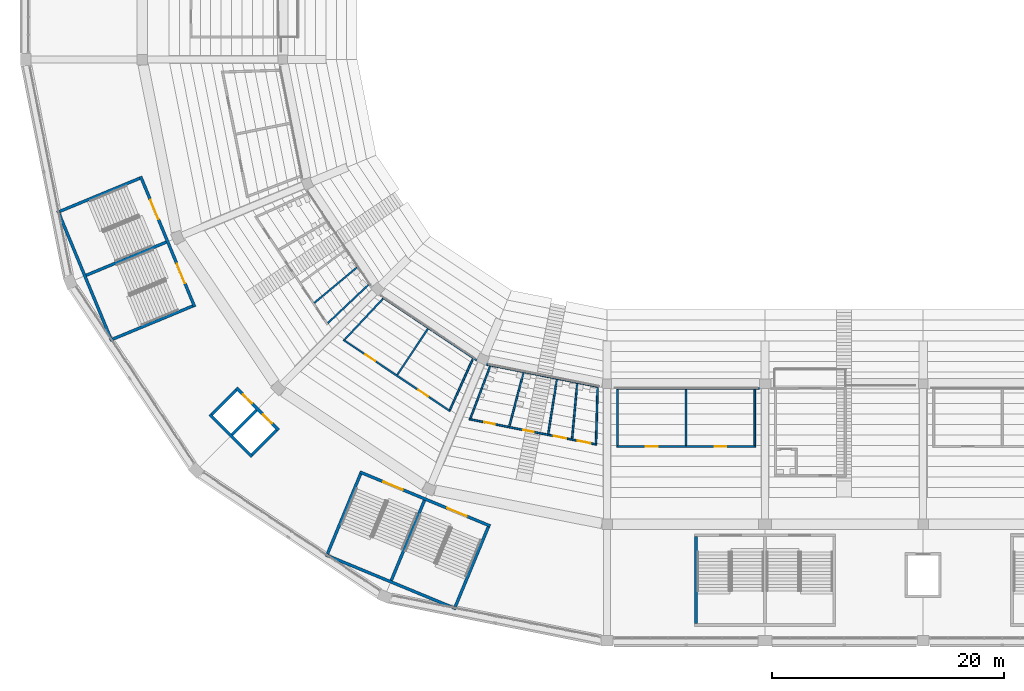
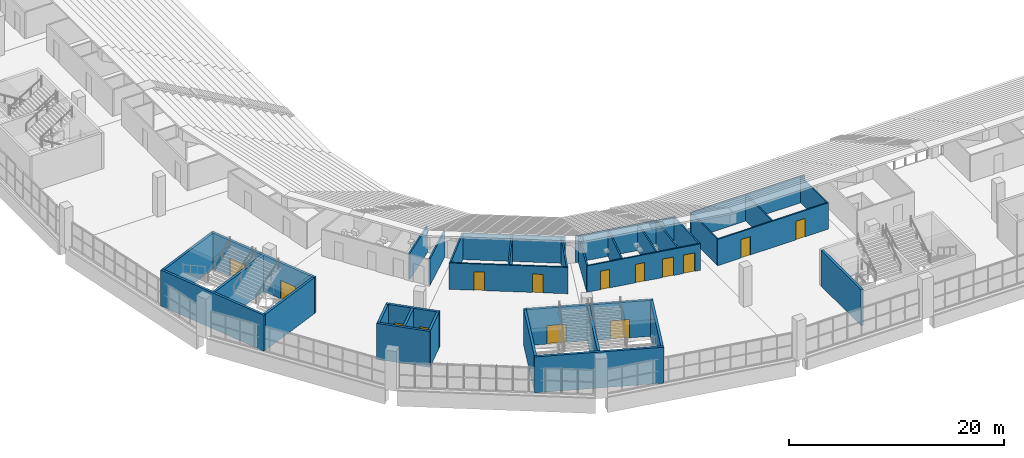
# One storey, part 85 of 249: 35 walls, 14 doors, 14 openings.
"""IFC4 building model written with IfcOpenShell, lengths in metres."""

from ifc_helpers import new_model, si_unit, direction, frame, frame_2d, origin, place, context, subcontext, project, spatial, rectangle, extrude, material, layer, layer_set, type_object, element, fill, save


model = new_model("IFC4")

# Units and contexts
model_context = context("Model", 3, precision=1e-05, world=origin(), true_north=direction((0.0, 1.0)))
body_context = subcontext(model_context, "Body", "Model", "MODEL_VIEW")
ifc_project = project(units=[si_unit("LENGTHUNIT", "METRE"), si_unit("AREAUNIT", "SQUARE_METRE"), si_unit("VOLUMEUNIT", "CUBIC_METRE"), si_unit("PLANEANGLEUNIT", "RADIAN"), si_unit("MASSUNIT", "GRAM", prefix="KILO")], contexts=[model_context])

# Site, building, storey
site_placement = place(None, origin())
site = spatial("IfcSite", under=ifc_project, at=site_placement, CompositionType="ELEMENT")
building_placement = place(site_placement, origin())
building = spatial("IfcBuilding", under=site, at=building_placement, Name="Ogive Plaza Stadium", CompositionType="ELEMENT")
storey_placement = place(building_placement, frame((0.0, 0.0, 13.5)))
storey = spatial("IfcBuildingStorey", under=building, at=storey_placement, Name="L03", CompositionType="ELEMENT", Elevation=13.5)

# Wall
ifc_material_1 = material(Name="Masonry blockwork", Category="masonry")
ifc_layer_1 = layer(ifc_material_1, 0.14990234375)
ifc_layer_set_1 = layer_set([ifc_layer_1], Name="Blockwork wall 150")
wall_type_1 = type_object("IfcWallType", Name="Blockwork wall 150", PredefinedType="SOLIDWALL", material=ifc_layer_set_1)
wall_1_placement = place(storey_placement, frame((-20.89990234375, -80.800048828125, 0.0), z_axis=(0.0, 0.0, 1.0), x_axis=(-1.0, 0.0, 0.0)))
element("IfcWall", 1, at=wall_1_placement, inside=storey, type_object=wall_type_1, Name="Wall L03 B16", PredefinedType="SOLIDWALL", context=body_context, shape_type="SweptSolid", body=[
    extrude(rectangle(XDim=12.275146484375, YDim=0.14990234375, at=frame_2d((6.1376953125, 0.0))), origin(), (0.0, 0.0, 1.0), 3.0),
])

# Wall, openings, doors
wall_2_placement = place(storey_placement, frame((-21.22509765625, -85.800048828125, 0.0), z_axis=(0.0, 0.0, 1.0), x_axis=(-1.0, 0.0, 0.0)))
wall_2 = element("IfcWall", 2, at=wall_2_placement, inside=storey, type_object=wall_type_1, Name="Wall L03 B16", PredefinedType="SOLIDWALL", context=body_context, shape_type="SweptSolid", body=[
    extrude(rectangle(XDim=11.949951171875, YDim=0.14990234375, at=frame_2d((5.97509765625, 0.0))), origin(), (0.0, 0.0, 1.0), 3.0),
])
opening_1_placement = place(wall_2_placement, frame((2.52490234375, 0.0, 0.0)))
opening_1 = element("IfcOpeningElement", 3, at=opening_1_placement, cuts=wall_2, Name="Opening D0809", PredefinedType="OPENING", context=body_context, shape_type="SweptSolid", body=[
    extrude(rectangle(XDim=1.0, YDim=2.10009765625, at=frame_2d((0.5, 1.050048828125))), frame((0.0, 0.074951171875, 0.0), z_axis=(0.0, -1.0, 0.0), x_axis=(1.0, 0.0, 0.0)), (0.0, 0.0, 1.0), 0.14990234375),
])
opening_2_placement = place(wall_2_placement, frame((8.425048828125, 0.0, 0.0)))
opening_2 = element("IfcOpeningElement", 4, at=opening_2_placement, cuts=wall_2, Name="Opening D0810", PredefinedType="OPENING", context=body_context, shape_type="SweptSolid", body=[
    extrude(rectangle(XDim=1.0, YDim=2.10009765625, at=frame_2d((0.5, 1.050048828125))), frame((0.0, 0.074951171875, 0.0), z_axis=(0.0, -1.0, 0.0), x_axis=(1.0, 0.0, 0.0)), (0.0, 0.0, 1.0), 0.14990234375),
])
ifc_material_2 = material(Name="Steel ASTM A572 Grade 50", Category="steel")
door_type_1 = type_object("IfcDoorType", Name="Fire door FD60 1000 x 2100", OperationType="SINGLE_SWING_LEFT", PredefinedType="DOOR", material=ifc_material_2)
door_1_placement = place(opening_1_placement, origin())
door_1 = element("IfcDoor", 5, at=door_1_placement, inside=storey, type_object=door_type_1, Name="Hospitality Pantry B16 door", OperationType="SINGLE_SWING_RIGHT", OverallHeight=2.10009765625, OverallWidth=1.0, PredefinedType="DOOR", context=body_context, shape_type="SweptSolid", body=[
    extrude(rectangle(XDim=1.0, YDim=2.10009765625, at=frame_2d((0.5, 1.050048828125))), frame((0.0, 0.02490234375, 0.0), z_axis=(0.0, -1.0, 0.0), x_axis=(1.0, 0.0, 0.0)), (0.0, 0.0, 1.0), 0.050048828125),
])
fill(opening_1, door_1)
door_2_placement = place(opening_2_placement, origin())
door_2 = element("IfcDoor", 6, at=door_2_placement, inside=storey, type_object=door_type_1, Name="Hospitality Store B16 door", OperationType="SINGLE_SWING_LEFT", OverallHeight=2.10009765625, OverallWidth=1.0, PredefinedType="DOOR", context=body_context, shape_type="SweptSolid", body=[
    extrude(rectangle(XDim=1.0, YDim=2.10009765625, at=frame_2d((0.5, 1.050048828125))), frame((0.0, 0.02490234375, 0.0), z_axis=(0.0, -1.0, 0.0), x_axis=(1.0, 0.0, 0.0)), (0.0, 0.0, 1.0), 0.050048828125),
])
fill(opening_2, door_2)

# Walls
for number, where, z_axis, x_axis, name in (
    (7, (-21.300048828125, -80.875, 0.0), (0.0, 0.0, 1.0), (0.0, -1.0, 0.0), "Wall L03 B16"),
    (8, (-27.199951171875, -80.875, 0.0), (0.0, 0.0, 1.0), (0.0, -1.0, 0.0), "Wall L03 B16"),
    (9, (-33.10009765625, -80.875, 0.0), (0.0, 0.0, 1.0), (0.0, -1.0, 0.0), "Wall L03 B16"),
):
    element("IfcWall", number, at=place(storey_placement, frame(where, z_axis=z_axis, x_axis=x_axis)), inside=storey, type_object=wall_type_1, Name=name, PredefinedType="SOLIDWALL", context=body_context, shape_type="SweptSolid", body=[
        extrude(rectangle(XDim=4.85009765625, YDim=0.14990234375, at=frame_2d((2.425048828125, 0.0))), origin(), (0.0, 0.0, 1.0), 3.0),
    ])
wall_3_placement = place(storey_placement, frame((-45.21142578125, -78.390869140625, 0.0), z_axis=(0.0, 0.0, 1.0), x_axis=(-0.831470078842, 0.555569534793, 0.0)))
element("IfcWall", 10, at=wall_3_placement, inside=storey, type_object=wall_type_1, Name="Wall L03 B18", PredefinedType="SOLIDWALL", context=body_context, shape_type="SweptSolid", body=[
    extrude(rectangle(XDim=9.7177734375, YDim=0.14990234375, at=frame_2d((4.85888671875, 0.0))), origin(), (0.0, 0.0, 1.0), 3.0),
])

# Wall, openings, doors
wall_4_placement = place(storey_placement, frame((-47.485107421875, -82.76953125, 0.0), z_axis=(0.0, 0.0, 1.0), x_axis=(-0.831470287315, 0.555569222791, 0.0)))
wall_4 = element("IfcWall", 11, at=wall_4_placement, inside=storey, type_object=wall_type_1, Name="Wall L03 B18", PredefinedType="SOLIDWALL", context=body_context, shape_type="SweptSolid", body=[
    extrude(rectangle(XDim=11.082275390625, YDim=0.14990234375, at=frame_2d((5.541015625, 0.0))), origin(), (0.0, 0.0, 1.0), 3.0),
])
opening_3_placement = place(wall_4_placement, frame((2.311279296875, 0.0, 0.0)))
opening_3 = element("IfcOpeningElement", 12, at=opening_3_placement, cuts=wall_4, Name="Opening D0815", PredefinedType="OPENING", context=body_context, shape_type="SweptSolid", body=[
    extrude(rectangle(XDim=1.0, YDim=2.10009765625, at=frame_2d((0.5, 1.050048828125))), frame((0.0, 0.074951171875, 0.0), z_axis=(0.0, -1.0, 0.0), x_axis=(1.0, 0.0, 0.0)), (0.0, 0.0, 1.0), 0.14990234375),
])
opening_4_placement = place(wall_4_placement, frame((7.771240234375, 0.0, 0.0)))
opening_4 = element("IfcOpeningElement", 13, at=opening_4_placement, cuts=wall_4, Name="Opening D0816", PredefinedType="OPENING", context=body_context, shape_type="SweptSolid", body=[
    extrude(rectangle(XDim=1.0, YDim=2.10009765625, at=frame_2d((0.5, 1.050048828125))), frame((0.0, 0.074951171875, 0.0), z_axis=(0.0, -1.0, 0.0), x_axis=(1.0, 0.0, 0.0)), (0.0, 0.0, 1.0), 0.14990234375),
])
door_3_placement = place(opening_3_placement, origin())
door_3 = element("IfcDoor", 14, at=door_3_placement, inside=storey, type_object=door_type_1, Name="Hospitality Pantry B18 door", OperationType="SINGLE_SWING_LEFT", OverallHeight=2.10009765625, OverallWidth=1.0, PredefinedType="DOOR", context=body_context, shape_type="SweptSolid", body=[
    extrude(rectangle(XDim=1.0, YDim=2.10009765625, at=frame_2d((0.5, 1.050048828125))), frame((0.0, 0.02490234375, 0.0), z_axis=(0.0, -1.0, 0.0), x_axis=(1.0, 0.0, 0.0)), (0.0, 0.0, 1.0), 0.050048828125),
])
fill(opening_3, door_3)
door_4_placement = place(opening_4_placement, origin())
door_4 = element("IfcDoor", 15, at=door_4_placement, inside=storey, type_object=door_type_1, Name="Hospitality Store B18 door", OperationType="SINGLE_SWING_RIGHT", OverallHeight=2.10009765625, OverallWidth=1.0, PredefinedType="DOOR", context=body_context, shape_type="SweptSolid", body=[
    extrude(rectangle(XDim=1.0, YDim=2.10009765625, at=frame_2d((0.5, 1.050048828125))), frame((0.0, 0.02490234375, 0.0), z_axis=(0.0, -1.0, 0.0), x_axis=(1.0, 0.0, 0.0)), (0.0, 0.0, 1.0), 0.050048828125),
])
fill(opening_4, door_4)

# Walls
wall_5_placement = place(storey_placement, frame((-45.548095703125, -78.25439453125, 0.0), z_axis=(0.0, 0.0, 1.0), x_axis=(-0.409145990025, -0.912468935825, 0.0)))
element("IfcWall", 16, at=wall_5_placement, inside=storey, type_object=wall_type_1, Name="Wall L03 B18", PredefinedType="SOLIDWALL", context=body_context, shape_type="SweptSolid", body=[
    extrude(rectangle(XDim=4.824462890625, YDim=0.14990234375, at=frame_2d((2.412109375, 0.0))), origin(), (0.0, 0.0, 1.0), 3.0),
])
wall_6_placement = place(storey_placement, frame((-49.41650390625, -75.669677734375, 0.0), z_axis=(0.0, 0.0, 1.0), x_axis=(-0.553989356348, -0.832523749243, 0.0)))
element("IfcWall", 17, at=wall_6_placement, inside=storey, type_object=wall_type_1, Name="Wall L03 B18", PredefinedType="SOLIDWALL", context=body_context, shape_type="SweptSolid", body=[
    extrude(rectangle(XDim=4.7568359375, YDim=0.14990234375, at=frame_2d((2.37841796875, 0.0))), origin(), (0.0, 0.0, 1.0), 3.0),
])
wall_7_placement = place(storey_placement, frame((-53.28515625, -73.084716796875, 0.0), z_axis=(0.0, 0.0, 1.0), x_axis=(-0.68366483381, -0.729796132499, 0.0)))
element("IfcWall", 18, at=wall_7_placement, inside=storey, type_object=wall_type_1, Name="Wall L03 B18", PredefinedType="SOLIDWALL", context=body_context, shape_type="SweptSolid", body=[
    extrude(rectangle(XDim=4.8212890625, YDim=0.14990234375, at=frame_2d((2.41064453125, 0.0))), origin(), (0.0, 0.0, 1.0), 3.0),
])
ifc_material_3 = material(Name="Concrete C40/50", Category="concrete")
ifc_layer_2 = layer(ifc_material_3, 0.25)
ifc_layer_set_2 = layer_set([ifc_layer_2], Name="Concrete C40/50")
wall_type_2 = type_object("IfcWallType", Name="Core wall 250", PredefinedType="SHEAR", material=ifc_layer_set_2)
wall_8_placement = place(storey_placement, frame((-26.35009765625, -93.550048828125, 0.0), z_axis=(0.0, 0.0, 1.0), x_axis=(0.0, -1.0, 0.0)))
element("IfcWall", 19, at=wall_8_placement, inside=storey, type_object=wall_type_2, Name="Stair core R16 side wall", PredefinedType="SHEAR", context=body_context, shape_type="SweptSolid", body=[
    extrude(rectangle(XDim=7.4599609375, YDim=0.25, at=frame_2d((3.72998046875, 0.0))), origin(), (0.0, 0.0, 1.0), 4.090087890625),
])

# Wall, openings, doors
wall_9_placement = place(storey_placement, frame((-55.27392578125, -87.98486328125, 0.0), z_axis=(0.0, 0.0, 1.0), x_axis=(0.923877480578, -0.382688386133, 0.0)))
wall_9 = element("IfcWall", 20, at=wall_9_placement, inside=storey, type_object=wall_type_2, Name="Stair core R18 inner wall", PredefinedType="SHEAR", context=body_context, shape_type="SweptSolid", body=[
    extrude(rectangle(XDim=12.14990234375, YDim=0.25, at=frame_2d((6.074951171875, 0.0))), origin(), (0.0, 0.0, 1.0), 4.090087890625),
])
opening_5_placement = place(wall_9_placement, frame((2.199951171875, 0.0, 0.0)))
opening_5 = element("IfcOpeningElement", 21, at=opening_5_placement, cuts=wall_9, Name="Opening D0151", PredefinedType="OPENING", context=body_context, shape_type="SweptSolid", body=[
    extrude(rectangle(XDim=1.800048828125, YDim=2.10009765625, at=frame_2d((0.89990234375, 1.050048828125))), frame((0.0, 0.125, 0.0), z_axis=(0.0, -1.0, 0.0), x_axis=(1.0, 0.0, 0.0)), (0.0, 0.0, 1.0), 0.25),
])
opening_6_placement = place(wall_9_placement, frame((8.14990234375, 0.0, 0.0)))
opening_6 = element("IfcOpeningElement", 22, at=opening_6_placement, cuts=wall_9, Name="Opening D0152", PredefinedType="OPENING", context=body_context, shape_type="SweptSolid", body=[
    extrude(rectangle(XDim=1.800048828125, YDim=2.10009765625, at=frame_2d((0.89990234375, 1.050048828125))), frame((0.0, 0.125, 0.0), z_axis=(0.0, -1.0, 0.0), x_axis=(1.0, 0.0, 0.0)), (0.0, 0.0, 1.0), 0.25),
])
ifc_material_4 = material(Name="Steel ASTM A572 Grade 50", Category="steel")
door_type_2 = type_object("IfcDoorType", Name="Fire door FD90 pair 1800 x 2100", OperationType="DOUBLE_DOOR_SINGLE_SWING", PredefinedType="DOOR", material=ifc_material_4)
door_5_placement = place(opening_5_placement, origin())
door_5 = element("IfcDoor", 23, at=door_5_placement, inside=storey, type_object=door_type_2, Name="Exit stair R18A door L03", OperationType="DOUBLE_DOOR_SINGLE_SWING", OverallHeight=2.10009765625, OverallWidth=1.800048828125, PredefinedType="DOOR", context=body_context, shape_type="SweptSolid", body=[
    extrude(rectangle(XDim=1.800048828125, YDim=2.10009765625, at=frame_2d((0.89990234375, 1.050048828125))), frame((0.0, 0.02490234375, 0.0), z_axis=(0.0, -1.0, 0.0), x_axis=(1.0, 0.0, 0.0)), (0.0, 0.0, 1.0), 0.050048828125),
])
fill(opening_5, door_5)
door_6_placement = place(opening_6_placement, origin())
door_6 = element("IfcDoor", 24, at=door_6_placement, inside=storey, type_object=door_type_2, Name="Exit stair R18B door L03", OperationType="DOUBLE_DOOR_SINGLE_SWING", OverallHeight=2.10009765625, OverallWidth=1.800048828125, PredefinedType="DOOR", context=body_context, shape_type="SweptSolid", body=[
    extrude(rectangle(XDim=1.800048828125, YDim=2.10009765625, at=frame_2d((0.89990234375, 1.050048828125))), frame((0.0, 0.02490234375, 0.0), z_axis=(0.0, -1.0, 0.0), x_axis=(1.0, 0.0, 0.0)), (0.0, 0.0, 1.0), 0.050048828125),
])
fill(opening_6, door_6)

# Walls
wall_10_placement = place(storey_placement, frame((-58.224365234375, -95.108154296875, 0.0), z_axis=(0.0, 0.0, 1.0), x_axis=(0.923884584817, -0.382671234792, 0.0)))
element("IfcWall", 25, at=wall_10_placement, inside=storey, type_object=wall_type_2, Name="Stair core R18 outer wall", PredefinedType="SHEAR", context=body_context, shape_type="SweptSolid", body=[
    extrude(rectangle(XDim=12.14990234375, YDim=0.25, at=frame_2d((6.074951171875, 0.0))), origin(), (0.0, 0.0, 1.0), 4.090087890625),
])
for number, where, z_axis, x_axis, name in (
    (26, (-55.206298828125, -88.148193359375, 0.0), (0.0, 0.0, 1.0), (-0.382664910245, -0.923887204407, 0.0), "Stair core R18 side wall"),
    (27, (-44.212158203125, -92.7021484375, 0.0), (0.0, 0.0, 1.0), (-0.382664910245, -0.923887204407, 0.0), "Stair core R18 side wall"),
):
    element("IfcWall", number, at=place(storey_placement, frame(where, z_axis=z_axis, x_axis=x_axis)), inside=storey, type_object=wall_type_2, Name=name, PredefinedType="SHEAR", context=body_context, shape_type="SweptSolid", body=[
        extrude(rectangle(XDim=7.460205078125, YDim=0.25, at=frame_2d((3.72998046875, 0.0))), origin(), (0.0, 0.0, 1.0), 4.090087890625),
    ])
wall_11_placement = place(storey_placement, frame((-49.709228515625, -90.42529296875, 0.0), z_axis=(0.0, 0.0, 1.0), x_axis=(-0.382676480483, -0.923882412044, 0.0)))
element("IfcWall", 28, at=wall_11_placement, inside=storey, type_object=wall_type_2, Name="Stair core R18 centre wall", PredefinedType="SHEAR", context=body_context, shape_type="SweptSolid", body=[
    extrude(rectangle(XDim=7.4599609375, YDim=0.25, at=frame_2d((3.72998046875, 0.0))), origin(), (0.0, 0.0, 1.0), 4.090087890625),
])

# Wall, openings, doors
wall_12_placement = place(storey_placement, frame((-74.134521484375, -62.548828125, 0.0), z_axis=(0.0, 0.0, 1.0), x_axis=(0.382688386133, -0.923877480578, 0.0)))
wall_12 = element("IfcWall", 29, at=wall_12_placement, inside=storey, type_object=wall_type_2, Name="Stair core R20 inner wall", PredefinedType="SHEAR", context=body_context, shape_type="SweptSolid", body=[
    extrude(rectangle(XDim=12.14990234375, YDim=0.25, at=frame_2d((6.074951171875, 0.0))), origin(), (0.0, 0.0, 1.0), 4.090087890625),
])
opening_7_placement = place(wall_12_placement, frame((2.199951171875, 0.0, 0.0)))
opening_7 = element("IfcOpeningElement", 30, at=opening_7_placement, cuts=wall_12, Name="Opening D0163", PredefinedType="OPENING", context=body_context, shape_type="SweptSolid", body=[
    extrude(rectangle(XDim=1.800048828125, YDim=2.10009765625, at=frame_2d((0.89990234375, 1.050048828125))), frame((0.0, 0.125, 0.0), z_axis=(0.0, -1.0, 0.0), x_axis=(1.0, 0.0, 0.0)), (0.0, 0.0, 1.0), 0.25),
])
opening_8_placement = place(wall_12_placement, frame((8.14990234375, 0.0, 0.0)))
opening_8 = element("IfcOpeningElement", 31, at=opening_8_placement, cuts=wall_12, Name="Opening D0164", PredefinedType="OPENING", context=body_context, shape_type="SweptSolid", body=[
    extrude(rectangle(XDim=1.800048828125, YDim=2.10009765625, at=frame_2d((0.89990234375, 1.050048828125))), frame((0.0, 0.125, 0.0), z_axis=(0.0, -1.0, 0.0), x_axis=(1.0, 0.0, 0.0)), (0.0, 0.0, 1.0), 0.25),
])
door_7_placement = place(opening_7_placement, origin())
door_7 = element("IfcDoor", 32, at=door_7_placement, inside=storey, type_object=door_type_2, Name="Exit stair R20A door L03", OperationType="DOUBLE_DOOR_SINGLE_SWING", OverallHeight=2.10009765625, OverallWidth=1.800048828125, PredefinedType="DOOR", context=body_context, shape_type="SweptSolid", body=[
    extrude(rectangle(XDim=1.800048828125, YDim=2.10009765625, at=frame_2d((0.89990234375, 1.050048828125))), frame((0.0, 0.02490234375, 0.0), z_axis=(0.0, -1.0, 0.0), x_axis=(1.0, 0.0, 0.0)), (0.0, 0.0, 1.0), 0.050048828125),
])
fill(opening_7, door_7)
door_8_placement = place(opening_8_placement, origin())
door_8 = element("IfcDoor", 33, at=door_8_placement, inside=storey, type_object=door_type_2, Name="Exit stair R20B door L03", OperationType="DOUBLE_DOOR_SINGLE_SWING", OverallHeight=2.10009765625, OverallWidth=1.800048828125, PredefinedType="DOOR", context=body_context, shape_type="SweptSolid", body=[
    extrude(rectangle(XDim=1.800048828125, YDim=2.10009765625, at=frame_2d((0.89990234375, 1.050048828125))), frame((0.0, 0.02490234375, 0.0), z_axis=(0.0, -1.0, 0.0), x_axis=(1.0, 0.0, 0.0)), (0.0, 0.0, 1.0), 0.050048828125),
])
fill(opening_8, door_8)

# Walls
wall_13_placement = place(storey_placement, frame((-81.257568359375, -65.499267578125, 0.0), z_axis=(0.0, 0.0, 1.0), x_axis=(0.382671234792, -0.923884584817, 0.0)))
element("IfcWall", 34, at=wall_13_placement, inside=storey, type_object=wall_type_2, Name="Stair core R20 outer wall", PredefinedType="SHEAR", context=body_context, shape_type="SweptSolid", body=[
    extrude(rectangle(XDim=12.14990234375, YDim=0.25, at=frame_2d((6.074951171875, 0.0))), origin(), (0.0, 0.0, 1.0), 4.090087890625),
])
for number, where, z_axis, x_axis, name in (
    (35, (-74.2021484375, -62.712158203125, 0.0), (0.0, 0.0, 1.0), (-0.923887204407, -0.382664910245, 0.0), "Stair core R20 side wall"),
    (36, (-69.648193359375, -73.706298828125, 0.0), (0.0, 0.0, 1.0), (-0.923887204407, -0.382664910245, 0.0), "Stair core R20 side wall"),
):
    element("IfcWall", number, at=place(storey_placement, frame(where, z_axis=z_axis, x_axis=x_axis)), inside=storey, type_object=wall_type_2, Name=name, PredefinedType="SHEAR", context=body_context, shape_type="SweptSolid", body=[
        extrude(rectangle(XDim=7.460205078125, YDim=0.25, at=frame_2d((3.72998046875, 0.0))), origin(), (0.0, 0.0, 1.0), 4.090087890625),
    ])
wall_14_placement = place(storey_placement, frame((-71.92529296875, -68.209228515625, 0.0), z_axis=(0.0, 0.0, 1.0), x_axis=(-0.923882412044, -0.382676480483, 0.0)))
element("IfcWall", 37, at=wall_14_placement, inside=storey, type_object=wall_type_2, Name="Stair core R20 centre wall", PredefinedType="SHEAR", context=body_context, shape_type="SweptSolid", body=[
    extrude(rectangle(XDim=7.4599609375, YDim=0.25, at=frame_2d((3.72998046875, 0.0))), origin(), (0.0, 0.0, 1.0), 4.090087890625),
])

# Wall, openings, doors
wall_15_placement = place(storey_placement, frame((-65.890625, -80.7490234375, 0.0), z_axis=(0.0, 0.0, 1.0), x_axis=(0.707106781187, -0.707106781187, 0.0)))
wall_15 = element("IfcWall", 38, at=wall_15_placement, inside=storey, type_object=wall_type_2, Name="Lift core LP19 landing wall", PredefinedType="SHEAR", context=body_context, shape_type="SweptSolid", body=[
    extrude(rectangle(XDim=5.14990234375, YDim=0.25, at=frame_2d((2.574951171875, 0.0))), origin(), (0.0, 0.0, 1.0), 4.090087890625),
])
opening_9_placement = place(wall_15_placement, frame((0.800048828125, 0.0, 0.0)))
opening_9 = element("IfcOpeningElement", 39, at=opening_9_placement, cuts=wall_15, Name="Opening LD050", PredefinedType="OPENING", context=body_context, shape_type="SweptSolid", body=[
    extrude(rectangle(XDim=1.10009765625, YDim=2.10009765625, at=frame_2d((0.550048828125, 1.050048828125))), frame((0.0, 0.125, 0.0), z_axis=(0.0, -1.0, 0.0), x_axis=(1.0, 0.0, 0.0)), (0.0, 0.0, 1.0), 0.25),
])
opening_10_placement = place(wall_15_placement, frame((3.25, 0.0, 0.0)))
opening_10 = element("IfcOpeningElement", 40, at=opening_10_placement, cuts=wall_15, Name="Opening LD051", PredefinedType="OPENING", context=body_context, shape_type="SweptSolid", body=[
    extrude(rectangle(XDim=1.10009765625, YDim=2.10009765625, at=frame_2d((0.550048828125, 1.050048828125))), frame((0.0, 0.125, 0.0), z_axis=(0.0, -1.0, 0.0), x_axis=(1.0, 0.0, 0.0)), (0.0, 0.0, 1.0), 0.25),
])
ifc_material_5 = material(Name="Steel ASTM A572 Grade 50", Category="steel")
door_type_3 = type_object("IfcDoorType", Name="Landing door 1100 x 2100", OperationType="SLIDING_TO_LEFT", PredefinedType="DOOR", material=ifc_material_5)
door_9_placement = place(opening_9_placement, origin())
door_9 = element("IfcDoor", 41, at=door_9_placement, inside=storey, type_object=door_type_3, Name="Lift landing door LP19 L03", OperationType="SLIDING_TO_LEFT", OverallHeight=2.10009765625, OverallWidth=1.10009765625, PredefinedType="DOOR", context=body_context, shape_type="SweptSolid", body=[
    extrude(rectangle(XDim=1.10009765625, YDim=2.10009765625, at=frame_2d((0.550048828125, 1.050048828125))), frame((0.0, 0.02490234375, 0.0), z_axis=(0.0, -1.0, 0.0), x_axis=(1.0, 0.0, 0.0)), (0.0, 0.0, 1.0), 0.050048828125),
])
fill(opening_9, door_9)
door_10_placement = place(opening_10_placement, origin())
door_10 = element("IfcDoor", 42, at=door_10_placement, inside=storey, type_object=door_type_3, Name="Lift landing door LP19 L03", OperationType="SLIDING_TO_LEFT", OverallHeight=2.10009765625, OverallWidth=1.10009765625, PredefinedType="DOOR", context=body_context, shape_type="SweptSolid", body=[
    extrude(rectangle(XDim=1.10009765625, YDim=2.10009765625, at=frame_2d((0.550048828125, 1.050048828125))), frame((0.0, 0.02490234375, 0.0), z_axis=(0.0, -1.0, 0.0), x_axis=(1.0, 0.0, 0.0)), (0.0, 0.0, 1.0), 0.050048828125),
])
fill(opening_10, door_10)

# Walls
wall_16_placement = place(storey_placement, frame((-68.188720703125, -83.047119140625, 0.0), z_axis=(0.0, 0.0, 1.0), x_axis=(0.707106781187, -0.707106781187, 0.0)))
element("IfcWall", 43, at=wall_16_placement, inside=storey, type_object=wall_type_2, Name="Lift core LP19 rear wall", PredefinedType="SHEAR", context=body_context, shape_type="SweptSolid", body=[
    extrude(rectangle(XDim=5.14990234375, YDim=0.25, at=frame_2d((2.574951171875, 0.0))), origin(), (0.0, 0.0, 1.0), 4.090087890625),
])
for number, where, z_axis, x_axis, name in (
    (44, (-65.890625, -80.92578125, 0.0), (0.0, 0.0, 1.0), (-0.707066087907, -0.707147472125, 0.0), "Lift core LP19 side wall"),
    (45, (-62.42578125, -84.390625, 0.0), (0.0, 0.0, 1.0), (-0.707147472125, -0.707066087907, 0.0), "Lift core LP19 side wall"),
):
    element("IfcWall", number, at=place(storey_placement, frame(where, z_axis=z_axis, x_axis=x_axis)), inside=storey, type_object=wall_type_2, Name=name, PredefinedType="SHEAR", context=body_context, shape_type="SweptSolid", body=[
        extrude(rectangle(XDim=2.999755859375, YDim=0.25, at=frame_2d((1.5, 0.0))), origin(), (0.0, 0.0, 1.0), 4.090087890625),
    ])
wall_17_placement = place(storey_placement, frame((-64.158203125, -82.658203125, 0.0), z_axis=(0.0, 0.0, 1.0), x_axis=(-0.707106781187, -0.707106781187, 0.0)))
element("IfcWall", 46, at=wall_17_placement, inside=storey, type_object=wall_type_2, Name="Lift core LP19 centre wall", PredefinedType="SHEAR", context=body_context, shape_type="SweptSolid", body=[
    extrude(rectangle(XDim=3.0, YDim=0.25, at=frame_2d((1.5, 0.0))), origin(), (0.0, 0.0, 1.0), 4.090087890625),
])
ifc_material_6 = material(Name="Gypsum board partition", Category="gypsum")
ifc_layer_3 = layer(ifc_material_6, 0.14990234375)
ifc_layer_set_3 = layer_set([ifc_layer_3], Name="Partition 150")
wall_type_3 = type_object("IfcWallType", Name="Partition 150", PredefinedType="PARTITIONING", material=ifc_layer_set_3)
wall_18_placement = place(storey_placement, frame((-44.3798828125, -78.7353515625, 0.0), z_axis=(0.0, 0.0, 1.0), x_axis=(0.980786564352, -0.19508386706, 0.0)))
element("IfcWall", 47, at=wall_18_placement, inside=storey, type_object=wall_type_3, Name="Wall L03 B17", PredefinedType="PARTITIONING", context=body_context, shape_type="SweptSolid", body=[
    extrude(rectangle(XDim=9.8251953125, YDim=0.14990234375, at=frame_2d((4.91259765625, 0.0))), origin(), (0.0, 0.0, 1.0), 3.0),
])

# Wall, openings, doors
wall_19_placement = place(storey_placement, frame((-45.86865234375, -83.439208984375, 0.0), z_axis=(0.0, 0.0, 1.0), x_axis=(0.980786208969, -0.195085653744, 0.0)))
wall_19 = element("IfcWall", 48, at=wall_19_placement, inside=storey, type_object=wall_type_3, Name="Wall L03 B17", PredefinedType="PARTITIONING", context=body_context, shape_type="SweptSolid", body=[
    extrude(rectangle(XDim=11.209228515625, YDim=0.14990234375, at=frame_2d((5.6044921875, 0.0))), origin(), (0.0, 0.0, 1.0), 3.0),
])
opening_11_placement = place(wall_19_placement, frame((1.34326171875, 0.0, 0.0)))
opening_11 = element("IfcOpeningElement", 49, at=opening_11_placement, cuts=wall_19, Name="Opening D0811", PredefinedType="OPENING", context=body_context, shape_type="SweptSolid", body=[
    extrude(rectangle(XDim=0.89990234375, YDim=2.10009765625, at=frame_2d((0.449951171875, 1.050048828125))), frame((0.0, 0.074951171875, 0.0), z_axis=(0.0, -1.0, 0.0), x_axis=(1.0, 0.0, 0.0)), (0.0, 0.0, 1.0), 0.14990234375),
])
opening_12_placement = place(wall_19_placement, frame((4.767822265625, 0.0, 0.0)))
opening_12 = element("IfcOpeningElement", 50, at=opening_12_placement, cuts=wall_19, Name="Opening D0812", PredefinedType="OPENING", context=body_context, shape_type="SweptSolid", body=[
    extrude(rectangle(XDim=0.89990234375, YDim=2.10009765625, at=frame_2d((0.449951171875, 1.050048828125))), frame((0.0, 0.074951171875, 0.0), z_axis=(0.0, -1.0, 0.0), x_axis=(1.0, 0.0, 0.0)), (0.0, 0.0, 1.0), 0.14990234375),
])
opening_13_placement = place(wall_19_placement, frame((7.4296875, 0.0, 0.0)))
opening_13 = element("IfcOpeningElement", 51, at=opening_13_placement, cuts=wall_19, Name="Opening D0813", PredefinedType="OPENING", context=body_context, shape_type="SweptSolid", body=[
    extrude(rectangle(XDim=1.10009765625, YDim=2.10009765625, at=frame_2d((0.550048828125, 1.050048828125))), frame((0.0, 0.074951171875, 0.0), z_axis=(0.0, -1.0, 0.0), x_axis=(1.0, 0.0, 0.0)), (0.0, 0.0, 1.0), 0.14990234375),
])
opening_14_placement = place(wall_19_placement, frame((9.528564453125, 0.0, 0.0)))
opening_14 = element("IfcOpeningElement", 52, at=opening_14_placement, cuts=wall_19, Name="Opening D0814", PredefinedType="OPENING", context=body_context, shape_type="SweptSolid", body=[
    extrude(rectangle(XDim=1.10009765625, YDim=2.10009765625, at=frame_2d((0.550048828125, 1.050048828125))), frame((0.0, 0.074951171875, 0.0), z_axis=(0.0, -1.0, 0.0), x_axis=(1.0, 0.0, 0.0)), (0.0, 0.0, 1.0), 0.14990234375),
])
ifc_material_7 = material(Name="Steel ASTM A572 Grade 50", Category="steel")
door_type_4 = type_object("IfcDoorType", Name="Accessible door 1100 x 2100", OperationType="SINGLE_SWING_LEFT", PredefinedType="DOOR", material=ifc_material_7)
door_11_placement = place(opening_13_placement, origin())
door_11 = element("IfcDoor", 53, at=door_11_placement, inside=storey, type_object=door_type_4, Name="Accessible WC B17 door", OperationType="SINGLE_SWING_LEFT", OverallHeight=2.10009765625, OverallWidth=1.10009765625, PredefinedType="DOOR", context=body_context, shape_type="SweptSolid", body=[
    extrude(rectangle(XDim=1.10009765625, YDim=2.10009765625, at=frame_2d((0.550048828125, 1.050048828125))), frame((0.0, 0.02490234375, 0.0), z_axis=(0.0, -1.0, 0.0), x_axis=(1.0, 0.0, 0.0)), (0.0, 0.0, 1.0), 0.050048828125),
])
fill(opening_13, door_11)
door_12_placement = place(opening_14_placement, origin())
door_12 = element("IfcDoor", 54, at=door_12_placement, inside=storey, type_object=door_type_4, Name="Family WC B17 door", OperationType="SINGLE_SWING_LEFT", OverallHeight=2.10009765625, OverallWidth=1.10009765625, PredefinedType="DOOR", context=body_context, shape_type="SweptSolid", body=[
    extrude(rectangle(XDim=1.10009765625, YDim=2.10009765625, at=frame_2d((0.550048828125, 1.050048828125))), frame((0.0, 0.02490234375, 0.0), z_axis=(0.0, -1.0, 0.0), x_axis=(1.0, 0.0, 0.0)), (0.0, 0.0, 1.0), 0.050048828125),
])
fill(opening_14, door_12)
ifc_material_8 = material(Name="Steel ASTM A572 Grade 50", Category="steel")
door_type_5 = type_object("IfcDoorType", Name="Door 900 x 2100", OperationType="SINGLE_SWING_LEFT", PredefinedType="DOOR", material=ifc_material_8)
door_13_placement = place(opening_11_placement, origin())
door_13 = element("IfcDoor", 55, at=door_13_placement, inside=storey, type_object=door_type_5, Name="Men's Toilet B17 door", OperationType="SINGLE_SWING_RIGHT", OverallHeight=2.10009765625, OverallWidth=0.89990234375, PredefinedType="DOOR", context=body_context, shape_type="SweptSolid", body=[
    extrude(rectangle(XDim=0.89990234375, YDim=2.10009765625, at=frame_2d((0.449951171875, 1.050048828125))), frame((0.0, 0.02490234375, 0.0), z_axis=(0.0, -1.0, 0.0), x_axis=(1.0, 0.0, 0.0)), (0.0, 0.0, 1.0), 0.050048828125),
])
fill(opening_11, door_13)
door_14_placement = place(opening_12_placement, origin())
door_14 = element("IfcDoor", 56, at=door_14_placement, inside=storey, type_object=door_type_5, Name="Women's Toilet B17 door", OperationType="SINGLE_SWING_RIGHT", OverallHeight=2.10009765625, OverallWidth=0.89990234375, PredefinedType="DOOR", context=body_context, shape_type="SweptSolid", body=[
    extrude(rectangle(XDim=0.89990234375, YDim=2.10009765625, at=frame_2d((0.449951171875, 1.050048828125))), frame((0.0, 0.02490234375, 0.0), z_axis=(0.0, -1.0, 0.0), x_axis=(1.0, 0.0, 0.0)), (0.0, 0.0, 1.0), 0.050048828125),
])
fill(opening_12, door_14)

# Walls
wall_20_placement = place(storey_placement, frame((-44.04541015625, -78.876953125, 0.0), z_axis=(0.0, 0.0, 1.0), x_axis=(-0.355921670207, -0.934515791561, 0.0)))
element("IfcWall", 57, at=wall_20_placement, inside=storey, type_object=wall_type_3, Name="Wall L03 B17", PredefinedType="PARTITIONING", context=body_context, shape_type="SweptSolid", body=[
    extrude(rectangle(XDim=4.82421875, YDim=0.14990234375, at=frame_2d((2.412109375, 0.0))), origin(), (0.0, 0.0, 1.0), 3.0),
])
wall_21_placement = place(storey_placement, frame((-41.183349609375, -79.446044921875, 0.0), z_axis=(0.0, 0.0, 1.0), x_axis=(-0.257618021969, -0.966246839455, 0.0)))
element("IfcWall", 58, at=wall_21_placement, inside=storey, type_object=wall_type_3, Name="Wall L03 B17", PredefinedType="PARTITIONING", context=body_context, shape_type="SweptSolid", body=[
    extrude(rectangle(XDim=4.766845703125, YDim=0.14990234375, at=frame_2d((2.38330078125, 0.0))), origin(), (0.0, 0.0, 1.0), 3.0),
])
wall_22_placement = place(storey_placement, frame((-38.321533203125, -80.015380859375, 0.0), z_axis=(0.0, 0.0, 1.0), x_axis=(-0.155127731688, -0.987894420908, 0.0)))
element("IfcWall", 59, at=wall_22_placement, inside=storey, type_object=wall_type_3, Name="Wall L03 B17", PredefinedType="PARTITIONING", context=body_context, shape_type="SweptSolid", body=[
    extrude(rectangle(XDim=4.7607421875, YDim=0.14990234375, at=frame_2d((2.38037109375, 0.0))), origin(), (0.0, 0.0, 1.0), 3.0),
])
wall_23_placement = place(storey_placement, frame((-36.5673828125, -80.3642578125, 0.0), z_axis=(0.0, 0.0, 1.0), x_axis=(-0.091727705385, -0.995784127241, 0.0)))
element("IfcWall", 60, at=wall_23_placement, inside=storey, type_object=wall_type_3, Name="Wall L03 B17", PredefinedType="PARTITIONING", context=body_context, shape_type="SweptSolid", body=[
    extrude(rectangle(XDim=4.782958984375, YDim=0.14990234375, at=frame_2d((2.3916015625, 0.0))), origin(), (0.0, 0.0, 1.0), 3.0),
])
wall_24_placement = place(storey_placement, frame((-34.813232421875, -80.713134765625, 0.0), z_axis=(0.0, 0.0, 1.0), x_axis=(-0.028793807365, -0.999585372371, 0.0)))
element("IfcWall", 61, at=wall_24_placement, inside=storey, type_object=wall_type_3, Name="Wall L03 B17", PredefinedType="PARTITIONING", context=body_context, shape_type="SweptSolid", body=[
    extrude(rectangle(XDim=4.824462890625, YDim=0.14990234375, at=frame_2d((2.412109375, 0.0))), origin(), (0.0, 0.0, 1.0), 3.0),
])
wall_25_placement = place(storey_placement, frame((-55.518310546875, -70.3876953125, 0.0), z_axis=(0.0, 0.0, 1.0), x_axis=(-0.769023985067, -0.639219923337, 0.0)))
element("IfcWall", 62, at=wall_25_placement, inside=storey, type_object=wall_type_3, Name="Wall L03 B19", PredefinedType="PARTITIONING", context=body_context, shape_type="SweptSolid", body=[
    extrude(rectangle(XDim=4.782958984375, YDim=0.14990234375, at=frame_2d((2.3916015625, 0.0))), origin(), (0.0, 0.0, 1.0), 3.0),
])
wall_26_placement = place(storey_placement, frame((-54.52490234375, -71.874755859375, 0.0), z_axis=(0.0, 0.0, 1.0), x_axis=(-0.727182951144, -0.686443701672, 0.0)))
element("IfcWall", 63, at=wall_26_placement, inside=storey, type_object=wall_type_3, Name="Wall L03 B19", PredefinedType="PARTITIONING", context=body_context, shape_type="SweptSolid", body=[
    extrude(rectangle(XDim=4.82421875, YDim=0.14990234375, at=frame_2d((2.412109375, 0.0))), origin(), (0.0, 0.0, 1.0), 3.0),
])

save(model, "model.ifc")
